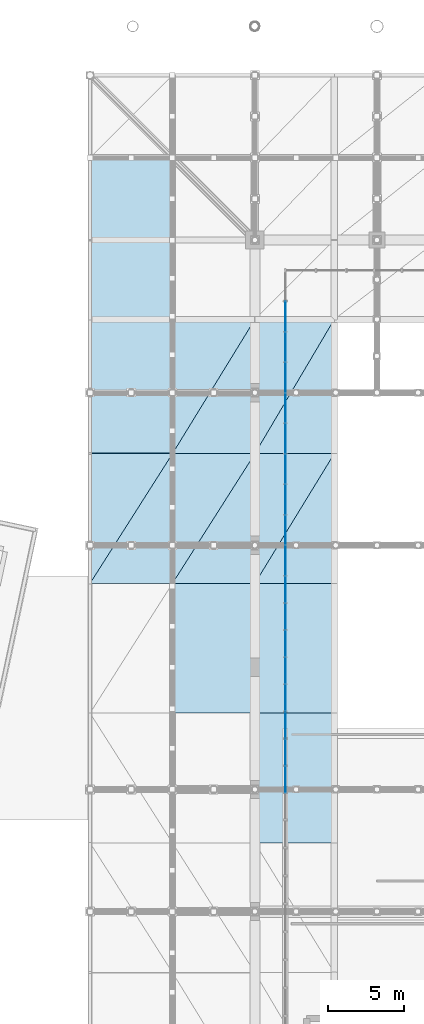
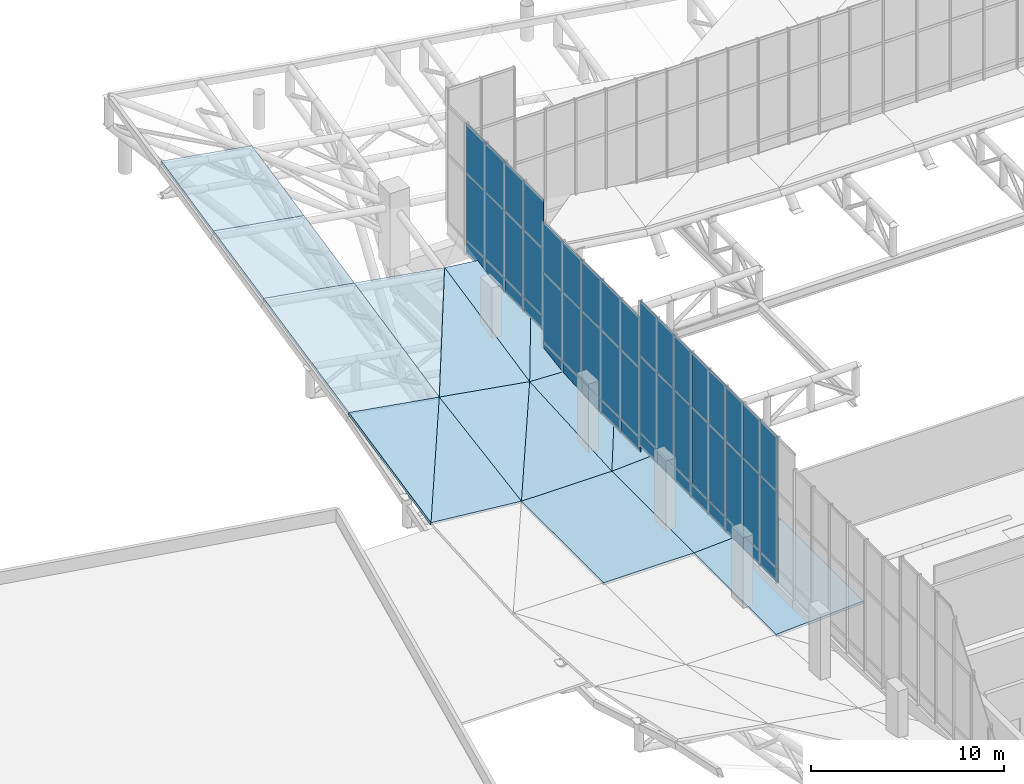
# One storey, part 105 of 137: 51 plates, 16 slabs, 4 elements without a shape of their own.
"""IFC4 building model written with IfcOpenShell, lengths in metres."""

import ifcopenshell
import ifcopenshell.guid

model = None  # the IFC model being written
_history = None  # IfcOwnerHistory: only IFC2X3 demands one
_inside = {}  # id of a spatial element -> (the spatial element, [elements in it])
_under = {}  # id of a project, library or spatial element -> (it, [spatial elements below it])
_declared = {}  # id of a project -> (the project, [libraries it declares])
_typed = {}  # id of a type object -> (the type object, [elements of that type])
_made_of = {}  # id of a material, layer set ... -> (it, [elements and type objects made of it])


def new_model(schema):
    """Start an empty IFC model of exactly this schema.

    Asked for "IFC4X3", IfcOpenShell would pick the latest addendum, in which some entities
    have other attributes; the version numbers below select the first issue.
    IFC2X3 requires an IfcOwnerHistory on every rooted entity: one is made here for all.
    """
    global model, _history
    if schema == "IFC4X3":
        model = ifcopenshell.file(schema_version=(4, 3, 0, 0))
    else:
        model = ifcopenshell.file(schema=schema)
    _inside.clear()
    _under.clear()
    _declared.clear()
    _typed.clear()
    _made_of.clear()
    _history = None
    if model.schema == "IFC2X3":
        org = make("IfcOrganization", Name="unknown")
        user = make(
            "IfcPersonAndOrganization",
            ThePerson=make("IfcPerson", FamilyName="unknown"),
            TheOrganization=org,
        )
        app = make(
            "IfcApplication",
            ApplicationDeveloper=org,
            Version="unknown",
            ApplicationFullName="unknown",
            ApplicationIdentifier="unknown",
        )
        _history = make(
            "IfcOwnerHistory",
            OwningUser=user,
            OwningApplication=app,
            ChangeAction="ADDED",
            CreationDate=0,
        )
    return model


def make(cls, **values):
    """One entity of the class cls with the attributes given. An attribute that is None is left unset."""
    return model.create_entity(
        cls, **{name: value for name, value in values.items() if value is not None}
    )


def rooted(cls, **values):
    """An entity with a GlobalId (a new one), such as an element, a storey or a relation."""
    return make(cls, GlobalId=ifcopenshell.guid.new(), OwnerHistory=_history, **values)


def si_unit(unit_type, name, prefix=None):
    """IfcSIUnit, for example si_unit("LENGTHUNIT", "METRE", prefix="MILLI")."""
    return make("IfcSIUnit", UnitType=unit_type, Prefix=prefix, Name=name)


def assignment(units):
    """IfcUnitAssignment: the units of a project."""
    return None if units is None else make("IfcUnitAssignment", Units=units)


def point(xyz):
    """IfcCartesianPoint."""
    return None if xyz is None else make("IfcCartesianPoint", Coordinates=xyz)


def direction(xyz):
    """IfcDirection."""
    return None if xyz is None else make("IfcDirection", DirectionRatios=xyz)


def frame(location, z_axis=None, x_axis=None):
    """IfcAxis2Placement3D, a coordinate frame: its origin and axes. An axis left out is left unset."""
    return make(
        "IfcAxis2Placement3D",
        Location=point(location),
        Axis=direction(z_axis),
        RefDirection=direction(x_axis),
    )


def frame_2d(location, x_axis=None):
    """IfcAxis2Placement2D, a coordinate frame in the plane: its origin and x axis."""
    return make(
        "IfcAxis2Placement2D", Location=point(location), RefDirection=direction(x_axis)
    )


def origin():
    """The frame at (0, 0, 0) with its axes left unset."""
    return frame((0.0, 0.0, 0.0))


def origin_2d():
    """The frame at (0, 0) in the plane with its x axis left unset."""
    return frame_2d((0.0, 0.0))


def place(relative_to, where):
    """IfcLocalPlacement: puts the frame where relative to a parent placement (None: the world)."""
    return make(
        "IfcLocalPlacement", PlacementRelTo=relative_to, RelativePlacement=where
    )


def context(
    kind, dimensions, precision=None, world=None, true_north=None, identifier=None
):
    """IfcGeometricRepresentationContext, for example the 3D "Model" context."""
    return make(
        "IfcGeometricRepresentationContext",
        ContextIdentifier=identifier,
        ContextType=kind,
        CoordinateSpaceDimension=dimensions,
        Precision=precision,
        WorldCoordinateSystem=world,
        TrueNorth=true_north,
    )


def subcontext(parent, identifier, kind, view, scale=None):
    """IfcGeometricRepresentationSubContext, for example "Body" below "Model"."""
    return make(
        "IfcGeometricRepresentationSubContext",
        ContextIdentifier=identifier,
        ContextType=kind,
        ParentContext=parent,
        TargetScale=scale,
        TargetView=view,
    )


def project(units=None, contexts=None):
    """IfcProject with its units and contexts."""
    return rooted(
        "IfcProject",
        Name="project",
        RepresentationContexts=contexts,
        UnitsInContext=assignment(units),
    )


def spatial(cls, under=None, at=None, **own):
    """A site, building, storey or space (cls), placed at a placement, below another one or the project."""
    s = rooted(cls, ObjectPlacement=at, **own)
    if under is not None:
        _under.setdefault(under.id(), (under, []))[1].append(s)
    return s


def polyline(points):
    """IfcPolyline through the points."""
    return make("IfcPolyline", Points=[point(p) for p in points])


def profile(cls, at=None, kind="AREA", **sizes):
    """A parametric profile (cls). Its sizes go by their IFC names, for example OverallWidth=200.0."""
    return make(cls, ProfileType=kind, Position=at, **sizes)


def rectangle(**sizes):
    """IfcRectangleProfileDef."""
    return profile("IfcRectangleProfileDef", **sizes)


def outline(outer, holes=None, kind="AREA"):
    """IfcArbitraryClosedProfileDef: a profile drawn as a closed curve; with holes, ...WithVoids."""
    if holes is None:
        return make("IfcArbitraryClosedProfileDef", ProfileType=kind, OuterCurve=outer)
    return make(
        "IfcArbitraryProfileDefWithVoids",
        ProfileType=kind,
        OuterCurve=outer,
        InnerCurves=holes,
    )


def extrude(swept, where, along, depth):
    """IfcExtrudedAreaSolid: the profile swept, set in the frame where, extruded along a direction by depth."""
    return make(
        "IfcExtrudedAreaSolid",
        SweptArea=swept,
        Position=where,
        ExtrudedDirection=direction(along),
        Depth=depth,
    )


def shape(context_of_items, identifier, shape_type, items):
    """IfcShapeRepresentation: the items that make up one representation, for example the "Body"."""
    return make(
        "IfcShapeRepresentation",
        ContextOfItems=context_of_items,
        RepresentationIdentifier=identifier,
        RepresentationType=shape_type,
        Items=items,
    )


def material(Name=None, Category=None):
    """IfcMaterial."""
    return make("IfcMaterial", Name=Name, Category=Category)


def layer(
    of_material, thickness, ventilated=None, Name=None, Category=None, Priority=None
):
    """IfcMaterialLayer: one layer of a wall or slab, of a material (None: an air gap)."""
    return make(
        "IfcMaterialLayer",
        Material=of_material,
        LayerThickness=thickness,
        IsVentilated=ventilated,
        Name=Name,
        Category=Category,
        Priority=Priority,
    )


def layer_set(layers, Name=None):
    """IfcMaterialLayerSet."""
    return make("IfcMaterialLayerSet", MaterialLayers=layers, LayerSetName=Name)


def made_of(thing, what):
    """Note that an element or type object is made of a material, layer set ...; save() writes the relation."""
    if what is not None:
        _made_of.setdefault(what.id(), (what, []))[1].append(thing)
    return thing


def type_object(cls, material=None, **own):
    """A type object (cls), such as IfcWallType, which elements share."""
    return made_of(rooted(cls, **own), material)


def element(
    cls,
    number,
    at=None,
    inside=None,
    cuts=None,
    type_object=None,
    material=None,
    context=None,
    identifier="Body",
    shape_type=None,
    held_by="IfcProductDefinitionShape",
    body=None,
    shapes=None,
    **own,
):
    """One element of the class cls, such as IfcWall. Its Tag is "e" and its number.

    at: its placement. inside: the storey or other place that contains it. cuts: it is an
    opening in that element (IfcRelVoidsElement). A single representation is given by context,
    identifier, shape_type and body (its items); several are given by shapes. held_by: the class
    of the entity that holds the representations. save() writes the other relations.
    """
    e = rooted(cls, Tag="e%d" % number, ObjectPlacement=at, **own)
    if body is not None:
        shapes = [shape(context, identifier, shape_type, body)]
    if shapes is not None:
        e.Representation = make(held_by, Representations=shapes)
    if inside is not None:
        _inside.setdefault(inside.id(), (inside, []))[1].append(e)
    if cuts is not None:
        rooted(
            "IfcRelVoidsElement", RelatingBuildingElement=cuts, RelatedOpeningElement=e
        )
    if type_object is not None:
        _typed.setdefault(type_object.id(), (type_object, []))[1].append(e)
    return made_of(e, material)


def aggregate(whole, parts):
    """IfcRelAggregates: a whole, such as a stair, and the parts it consists of."""
    return rooted("IfcRelAggregates", RelatingObject=whole, RelatedObjects=parts)


def save(model, path):
    """Write the relations noted so far, then the file.

    IfcRelAggregates (storeys below a building ...), IfcRelContainedInSpatialStructure (elements
    in a storey), IfcRelDefinesByType, IfcRelAssociatesMaterial and IfcRelDeclares: one each for
    every whole, place, type object, material and project.
    """
    for whole, parts in _under.values():
        aggregate(whole, parts)
    for where, things in _inside.values():
        rooted(
            "IfcRelContainedInSpatialStructure",
            RelatedElements=things,
            RelatingStructure=where,
        )
    for kind, things in _typed.values():
        rooted("IfcRelDefinesByType", RelatedObjects=things, RelatingType=kind)
    for what, things in _made_of.values():
        rooted("IfcRelAssociatesMaterial", RelatedObjects=things, RelatingMaterial=what)
    for by, libraries in _declared.values():
        rooted("IfcRelDeclares", RelatingContext=by, RelatedDefinitions=libraries)
    model.write(path)


model = new_model("IFC4")

# Units and contexts
model_context = context("Model", 3, precision=1e-05, world=origin(), true_north=direction((0.0, 1.0)))
body_context = subcontext(model_context, "Body", "Model", "MODEL_VIEW")
ifc_project = project(units=[si_unit("LENGTHUNIT", "METRE"), si_unit("AREAUNIT", "SQUARE_METRE"), si_unit("VOLUMEUNIT", "CUBIC_METRE"), si_unit("PLANEANGLEUNIT", "RADIAN"), si_unit("MASSUNIT", "GRAM", prefix="KILO")], contexts=[model_context])

# Site, building, storey
site_placement = place(None, origin())
site = spatial("IfcSite", under=ifc_project, at=site_placement, CompositionType="ELEMENT")
building_placement = place(site_placement, origin())
building = spatial("IfcBuilding", under=site, at=building_placement, Name="Khorjan Park Terminus", CompositionType="ELEMENT")
storey_placement = place(building_placement, frame((0.0, 0.0, 11.4)))
storey = spatial("IfcBuildingStorey", under=building, at=storey_placement, Name="L02", CompositionType="ELEMENT", Elevation=11.4)

# Curtain wall, plates
ifc_material_1 = material(Name="Anodized Bronze Aluminium", Category="aluminium")
ifc_layer_1 = layer(ifc_material_1, 0.22)
ifc_layer_set_1 = layer_set([ifc_layer_1], Name="Anodized Bronze Aluminium")
curtain_wall_type = type_object("IfcCurtainWallType", Name="CW-CONC-CLR", PredefinedType="NOTDEFINED", material=ifc_layer_set_1)
curtain_wall_1_placement = place(storey_placement, origin())
curtain_wall_1 = element("IfcCurtainWall", 1, at=curtain_wall_1_placement, inside=storey, type_object=curtain_wall_type, Name="Unitized curtain wall CW-CL (CW-V2-W-CLR-03)", PredefinedType="NOTDEFINED")
ifc_material_2 = material(Name="Acoustic Laminated Solar Glazing", Category="glass")
ifc_layer_2 = layer(ifc_material_2, 0.036)
ifc_layer_set_2 = layer_set([ifc_layer_2], Name="Acoustic Laminated Solar Glazing")
plate_type_1 = type_object("IfcPlateType", Name="GL-VIS-36", PredefinedType="CURTAIN_PANEL", material=ifc_layer_set_2)
plate_1_placement = place(storey_placement, frame((50.0, 65.1111, 1.8), z_axis=(0.0, 0.0, 1.0), x_axis=(0.0, -1.0, 0.0)))
plate_1 = element("IfcPlate", 2, at=plate_1_placement, type_object=plate_type_1, Name="Curtain-wall panel VP-36 (CW-V2-W-CLR-03-0-2)", PredefinedType="CURTAIN_PANEL", context=body_context, shape_type="SweptSolid", body=[
    extrude(rectangle(XDim=1.7778, YDim=0.036, at=origin_2d()), origin(), (0.0, 0.0, 1.0), 4.848),
])
plate_2_placement = place(storey_placement, frame((50.0, 65.1111, 6.648), z_axis=(0.0, 0.0, 1.0), x_axis=(0.0, -1.0, 0.0)))
plate_2 = element("IfcPlate", 3, at=plate_2_placement, type_object=plate_type_1, Name="Curtain-wall panel VP-36 (CW-V2-W-CLR-03-0-3)", PredefinedType="CURTAIN_PANEL", context=body_context, shape_type="SweptSolid", body=[
    extrude(rectangle(XDim=1.7778, YDim=0.036, at=origin_2d()), origin(), (0.0, 0.0, 1.0), 3.5024),
])
plate_3_placement = place(storey_placement, frame((50.0, 63.3333, 1.8), z_axis=(0.0, 0.0, 1.0), x_axis=(0.0, -1.0, 0.0)))
plate_3 = element("IfcPlate", 4, at=plate_3_placement, type_object=plate_type_1, Name="Curtain-wall panel VP-36 (CW-V2-W-CLR-03-1-2)", PredefinedType="CURTAIN_PANEL", context=body_context, shape_type="SweptSolid", body=[
    extrude(rectangle(XDim=1.7778, YDim=0.036, at=origin_2d()), origin(), (0.0, 0.0, 1.0), 4.848),
])
plate_4_placement = place(storey_placement, frame((50.0, 63.3333, 6.648), z_axis=(0.0, 0.0, 1.0), x_axis=(0.0, -1.0, 0.0)))
plate_4 = element("IfcPlate", 5, at=plate_4_placement, type_object=plate_type_1, Name="Curtain-wall panel VP-36 (CW-V2-W-CLR-03-1-3)", PredefinedType="CURTAIN_PANEL", context=body_context, shape_type="SweptSolid", body=[
    extrude(rectangle(XDim=1.7778, YDim=0.036, at=origin_2d()), origin(), (0.0, 0.0, 1.0), 3.5024),
])
plate_5_placement = place(storey_placement, frame((50.0, 61.5555, 1.8), z_axis=(0.0, 0.0, 1.0), x_axis=(0.0, -1.0, 0.0)))
plate_5 = element("IfcPlate", 6, at=plate_5_placement, type_object=plate_type_1, Name="Curtain-wall panel VP-36 (CW-V2-W-CLR-03-2-2)", PredefinedType="CURTAIN_PANEL", context=body_context, shape_type="SweptSolid", body=[
    extrude(rectangle(XDim=1.7778, YDim=0.036, at=origin_2d()), origin(), (0.0, 0.0, 1.0), 4.848),
])
plate_6_placement = place(storey_placement, frame((50.0, 61.5555, 6.648), z_axis=(0.0, 0.0, 1.0), x_axis=(0.0, -1.0, 0.0)))
plate_6 = element("IfcPlate", 7, at=plate_6_placement, type_object=plate_type_1, Name="Curtain-wall panel VP-36 (CW-V2-W-CLR-03-2-3)", PredefinedType="CURTAIN_PANEL", context=body_context, shape_type="SweptSolid", body=[
    extrude(rectangle(XDim=1.7778, YDim=0.036, at=origin_2d()), origin(), (0.0, 0.0, 1.0), 3.5024),
])
plate_7_placement = place(storey_placement, frame((50.0, 59.7778, 1.8), z_axis=(0.0, 0.0, 1.0), x_axis=(0.0, -1.0, 0.0)))
plate_7 = element("IfcPlate", 8, at=plate_7_placement, type_object=plate_type_1, Name="Curtain-wall panel VP-36 (CW-V2-W-CLR-03-3-2)", PredefinedType="CURTAIN_PANEL", context=body_context, shape_type="SweptSolid", body=[
    extrude(rectangle(XDim=1.7778, YDim=0.036, at=origin_2d()), origin(), (0.0, 0.0, 1.0), 4.848),
])
plate_8_placement = place(storey_placement, frame((50.0, 59.7778, 6.648), z_axis=(0.0, 0.0, 1.0), x_axis=(0.0, -1.0, 0.0)))
plate_8 = element("IfcPlate", 9, at=plate_8_placement, type_object=plate_type_1, Name="Curtain-wall panel VP-36 (CW-V2-W-CLR-03-3-3)", PredefinedType="CURTAIN_PANEL", context=body_context, shape_type="SweptSolid", body=[
    extrude(rectangle(XDim=1.7778, YDim=0.036, at=origin_2d()), origin(), (0.0, 0.0, 1.0), 3.5024),
])
plate_9_placement = place(storey_placement, frame((50.0, 58.0, 1.8), z_axis=(0.0, 0.0, 1.0), x_axis=(0.0, -1.0, 0.0)))
plate_9 = element("IfcPlate", 10, at=plate_9_placement, type_object=plate_type_1, Name="Curtain-wall panel VP-36 (CW-V2-W-CLR-03-4-2)", PredefinedType="CURTAIN_PANEL", context=body_context, shape_type="SweptSolid", body=[
    extrude(rectangle(XDim=1.7778, YDim=0.036, at=origin_2d()), origin(), (0.0, 0.0, 1.0), 4.848),
])
plate_10_placement = place(storey_placement, frame((50.0, 58.0, 6.648), z_axis=(0.0, 0.0, 1.0), x_axis=(0.0, -1.0, 0.0)))
plate_10 = element("IfcPlate", 11, at=plate_10_placement, type_object=plate_type_1, Name="Curtain-wall panel VP-36 (CW-V2-W-CLR-03-4-3)", PredefinedType="CURTAIN_PANEL", context=body_context, shape_type="SweptSolid", body=[
    extrude(rectangle(XDim=1.7778, YDim=0.036, at=origin_2d()), origin(), (0.0, 0.0, 1.0), 3.5024),
])
plate_11_placement = place(storey_placement, frame((50.0, 56.2222, 1.8), z_axis=(0.0, 0.0, 1.0), x_axis=(0.0, -1.0, 0.0)))
plate_11 = element("IfcPlate", 12, at=plate_11_placement, type_object=plate_type_1, Name="Curtain-wall panel VP-36 (CW-V2-W-CLR-03-5-2)", PredefinedType="CURTAIN_PANEL", context=body_context, shape_type="SweptSolid", body=[
    extrude(rectangle(XDim=1.7778, YDim=0.036, at=origin_2d()), origin(), (0.0, 0.0, 1.0), 4.848),
])
plate_12_placement = place(storey_placement, frame((50.0, 56.2222, 6.648), z_axis=(0.0, 0.0, 1.0), x_axis=(0.0, -1.0, 0.0)))
plate_12 = element("IfcPlate", 13, at=plate_12_placement, type_object=plate_type_1, Name="Curtain-wall panel VP-36 (CW-V2-W-CLR-03-5-3)", PredefinedType="CURTAIN_PANEL", context=body_context, shape_type="SweptSolid", body=[
    extrude(rectangle(XDim=1.7778, YDim=0.036, at=origin_2d()), origin(), (0.0, 0.0, 1.0), 3.5024),
])
plate_13_placement = place(storey_placement, frame((50.0, 54.4445, 1.8), z_axis=(0.0, 0.0, 1.0), x_axis=(0.0, -1.0, 0.0)))
plate_13 = element("IfcPlate", 14, at=plate_13_placement, type_object=plate_type_1, Name="Curtain-wall panel VP-36 (CW-V2-W-CLR-03-6-2)", PredefinedType="CURTAIN_PANEL", context=body_context, shape_type="SweptSolid", body=[
    extrude(rectangle(XDim=1.7778, YDim=0.036, at=origin_2d()), origin(), (0.0, 0.0, 1.0), 4.848),
])
plate_14_placement = place(storey_placement, frame((50.0, 54.4445, 6.648), z_axis=(0.0, 0.0, 1.0), x_axis=(0.0, -1.0, 0.0)))
plate_14 = element("IfcPlate", 15, at=plate_14_placement, type_object=plate_type_1, Name="Curtain-wall panel VP-36 (CW-V2-W-CLR-03-6-3)", PredefinedType="CURTAIN_PANEL", context=body_context, shape_type="SweptSolid", body=[
    extrude(rectangle(XDim=1.7778, YDim=0.036, at=origin_2d()), origin(), (0.0, 0.0, 1.0), 3.5024),
])
plate_15_placement = place(storey_placement, frame((50.0, 52.6667, 1.8), z_axis=(0.0, 0.0, 1.0), x_axis=(0.0, -1.0, 0.0)))
plate_15 = element("IfcPlate", 16, at=plate_15_placement, type_object=plate_type_1, Name="Curtain-wall panel VP-36 (CW-V2-W-CLR-03-7-2)", PredefinedType="CURTAIN_PANEL", context=body_context, shape_type="SweptSolid", body=[
    extrude(rectangle(XDim=1.7778, YDim=0.036, at=origin_2d()), origin(), (0.0, 0.0, 1.0), 4.848),
])
plate_16_placement = place(storey_placement, frame((50.0, 52.6667, 6.648), z_axis=(0.0, 0.0, 1.0), x_axis=(0.0, -1.0, 0.0)))
plate_16 = element("IfcPlate", 17, at=plate_16_placement, type_object=plate_type_1, Name="Curtain-wall panel VP-36 (CW-V2-W-CLR-03-7-3)", PredefinedType="CURTAIN_PANEL", context=body_context, shape_type="SweptSolid", body=[
    extrude(rectangle(XDim=1.7778, YDim=0.036, at=origin_2d()), origin(), (0.0, 0.0, 1.0), 3.5024),
])

curtain_wall_2_placement = place(storey_placement, origin())
curtain_wall_2 = element("IfcCurtainWall", 18, at=curtain_wall_2_placement, inside=storey, type_object=curtain_wall_type, Name="Unitized curtain wall CW-CL (CW-V2-W-CLR-04)", PredefinedType="NOTDEFINED")
plate_17_placement = place(storey_placement, frame((50.0, 75.0, 1.44), z_axis=(0.0, 0.0, 1.0), x_axis=(0.0, -1.0, 0.0)))
plate_17 = element("IfcPlate", 19, at=plate_17_placement, type_object=plate_type_1, Name="Curtain-wall panel VP-36 (CW-V2-W-CLR-04-0-2)", PredefinedType="CURTAIN_PANEL", context=body_context, shape_type="SweptSolid", body=[
    extrude(rectangle(XDim=2.0, YDim=0.036, at=origin_2d()), origin(), (0.0, 0.0, 1.0), 4.3966),
])
plate_18_placement = place(storey_placement, frame((50.0, 75.0, 5.8366), z_axis=(0.0, 0.0, 1.0), x_axis=(0.0, -1.0, 0.0)))
plate_18 = element("IfcPlate", 20, at=plate_18_placement, type_object=plate_type_1, Name="Curtain-wall panel VP-36 (CW-V2-W-CLR-04-0-3)", PredefinedType="CURTAIN_PANEL", context=body_context, shape_type="SweptSolid", body=[
    extrude(rectangle(XDim=2.0, YDim=0.036, at=origin_2d()), origin(), (0.0, 0.0, 1.0), 3.2257),
])
plate_19_placement = place(storey_placement, frame((50.0, 73.0, 1.44), z_axis=(0.0, 0.0, 1.0), x_axis=(0.0, -1.0, 0.0)))
plate_19 = element("IfcPlate", 21, at=plate_19_placement, type_object=plate_type_1, Name="Curtain-wall panel VP-36 (CW-V2-W-CLR-04-1-2)", PredefinedType="CURTAIN_PANEL", context=body_context, shape_type="SweptSolid", body=[
    extrude(rectangle(XDim=2.0, YDim=0.036, at=origin_2d()), origin(), (0.0, 0.0, 1.0), 4.3966),
])
plate_20_placement = place(storey_placement, frame((50.0, 73.0, 5.8366), z_axis=(0.0, 0.0, 1.0), x_axis=(0.0, -1.0, 0.0)))
plate_20 = element("IfcPlate", 22, at=plate_20_placement, type_object=plate_type_1, Name="Curtain-wall panel VP-36 (CW-V2-W-CLR-04-1-3)", PredefinedType="CURTAIN_PANEL", context=body_context, shape_type="SweptSolid", body=[
    extrude(rectangle(XDim=2.0, YDim=0.036, at=origin_2d()), origin(), (0.0, 0.0, 1.0), 3.2257),
])
plate_21_placement = place(storey_placement, frame((50.0, 71.0, 1.44), z_axis=(0.0, 0.0, 1.0), x_axis=(0.0, -1.0, 0.0)))
plate_21 = element("IfcPlate", 23, at=plate_21_placement, type_object=plate_type_1, Name="Curtain-wall panel VP-36 (CW-V2-W-CLR-04-2-2)", PredefinedType="CURTAIN_PANEL", context=body_context, shape_type="SweptSolid", body=[
    extrude(rectangle(XDim=2.0, YDim=0.036, at=origin_2d()), origin(), (0.0, 0.0, 1.0), 4.3966),
])
plate_22_placement = place(storey_placement, frame((50.0, 71.0, 5.8366), z_axis=(0.0, 0.0, 1.0), x_axis=(0.0, -1.0, 0.0)))
plate_22 = element("IfcPlate", 24, at=plate_22_placement, type_object=plate_type_1, Name="Curtain-wall panel VP-36 (CW-V2-W-CLR-04-2-3)", PredefinedType="CURTAIN_PANEL", context=body_context, shape_type="SweptSolid", body=[
    extrude(rectangle(XDim=2.0, YDim=0.036, at=origin_2d()), origin(), (0.0, 0.0, 1.0), 3.2257),
])
plate_23_placement = place(storey_placement, frame((50.0, 69.0, 1.44), z_axis=(0.0, 0.0, 1.0), x_axis=(0.0, -1.0, 0.0)))
plate_23 = element("IfcPlate", 25, at=plate_23_placement, type_object=plate_type_1, Name="Curtain-wall panel VP-36 (CW-V2-W-CLR-04-3-2)", PredefinedType="CURTAIN_PANEL", context=body_context, shape_type="SweptSolid", body=[
    extrude(rectangle(XDim=2.0, YDim=0.036, at=origin_2d()), origin(), (0.0, 0.0, 1.0), 4.3966),
])
plate_24_placement = place(storey_placement, frame((50.0, 69.0, 5.8366), z_axis=(0.0, 0.0, 1.0), x_axis=(0.0, -1.0, 0.0)))
plate_24 = element("IfcPlate", 26, at=plate_24_placement, type_object=plate_type_1, Name="Curtain-wall panel VP-36 (CW-V2-W-CLR-04-3-3)", PredefinedType="CURTAIN_PANEL", context=body_context, shape_type="SweptSolid", body=[
    extrude(rectangle(XDim=2.0, YDim=0.036, at=origin_2d()), origin(), (0.0, 0.0, 1.0), 3.2257),
])
plate_25_placement = place(storey_placement, frame((50.0, 67.0, 1.44), z_axis=(0.0, 0.0, 1.0), x_axis=(0.0, -1.0, 0.0)))
plate_25 = element("IfcPlate", 27, at=plate_25_placement, type_object=plate_type_1, Name="Curtain-wall panel VP-36 (CW-V2-W-CLR-04-4-2)", PredefinedType="CURTAIN_PANEL", context=body_context, shape_type="SweptSolid", body=[
    extrude(rectangle(XDim=2.0, YDim=0.036, at=origin_2d()), origin(), (0.0, 0.0, 1.0), 4.3966),
])
plate_26_placement = place(storey_placement, frame((50.0, 67.0, 5.8366), z_axis=(0.0, 0.0, 1.0), x_axis=(0.0, -1.0, 0.0)))
plate_26 = element("IfcPlate", 28, at=plate_26_placement, type_object=plate_type_1, Name="Curtain-wall panel VP-36 (CW-V2-W-CLR-04-4-3)", PredefinedType="CURTAIN_PANEL", context=body_context, shape_type="SweptSolid", body=[
    extrude(rectangle(XDim=2.0, YDim=0.036, at=origin_2d()), origin(), (0.0, 0.0, 1.0), 3.2257),
])

curtain_wall_3_placement = place(storey_placement, origin())
curtain_wall_3 = element("IfcCurtainWall", 29, at=curtain_wall_3_placement, inside=storey, type_object=curtain_wall_type, Name="Unitized curtain wall CW-CL (CW-V2-W-CLR-05)", PredefinedType="NOTDEFINED")
plate_27_placement = place(storey_placement, frame((50.0, 83.0, 3.0442), z_axis=(0.0, 0.0, 1.0), x_axis=(0.0, -1.0, 0.0)))
plate_27 = element("IfcPlate", 30, at=plate_27_placement, type_object=plate_type_1, Name="Curtain-wall panel VP-36 (CW-V2-W-CLR-05-1-2)", PredefinedType="CURTAIN_PANEL", context=body_context, shape_type="SweptSolid", body=[
    extrude(rectangle(XDim=2.0, YDim=0.036, at=origin_2d()), origin(), (0.0, 0.0, 1.0), 4.2517),
])
plate_28_placement = place(storey_placement, frame((50.0, 83.0, 7.2959), z_axis=(0.0, 0.0, 1.0), x_axis=(0.0, -1.0, 0.0)))
plate_28 = element("IfcPlate", 31, at=plate_28_placement, type_object=plate_type_1, Name="Curtain-wall panel VP-36 (CW-V2-W-CLR-05-1-3)", PredefinedType="CURTAIN_PANEL", context=body_context, shape_type="SweptSolid", body=[
    extrude(rectangle(XDim=2.0, YDim=0.036, at=origin_2d()), origin(), (0.0, 0.0, 1.0), 3.1369),
])
plate_29_placement = place(storey_placement, frame((50.0, 81.0, 3.0442), z_axis=(0.0, 0.0, 1.0), x_axis=(0.0, -1.0, 0.0)))
plate_29 = element("IfcPlate", 32, at=plate_29_placement, type_object=plate_type_1, Name="Curtain-wall panel VP-36 (CW-V2-W-CLR-05-2-2)", PredefinedType="CURTAIN_PANEL", context=body_context, shape_type="SweptSolid", body=[
    extrude(rectangle(XDim=2.0, YDim=0.036, at=origin_2d()), origin(), (0.0, 0.0, 1.0), 4.2517),
])
plate_30_placement = place(storey_placement, frame((50.0, 81.0, 7.2959), z_axis=(0.0, 0.0, 1.0), x_axis=(0.0, -1.0, 0.0)))
plate_30 = element("IfcPlate", 33, at=plate_30_placement, type_object=plate_type_1, Name="Curtain-wall panel VP-36 (CW-V2-W-CLR-05-2-3)", PredefinedType="CURTAIN_PANEL", context=body_context, shape_type="SweptSolid", body=[
    extrude(rectangle(XDim=2.0, YDim=0.036, at=origin_2d()), origin(), (0.0, 0.0, 1.0), 3.1369),
])
plate_31_placement = place(storey_placement, frame((50.0, 79.0, 3.0442), z_axis=(0.0, 0.0, 1.0), x_axis=(0.0, -1.0, 0.0)))
plate_31 = element("IfcPlate", 34, at=plate_31_placement, type_object=plate_type_1, Name="Curtain-wall panel VP-36 (CW-V2-W-CLR-05-3-2)", PredefinedType="CURTAIN_PANEL", context=body_context, shape_type="SweptSolid", body=[
    extrude(rectangle(XDim=2.0, YDim=0.036, at=origin_2d()), origin(), (0.0, 0.0, 1.0), 4.2517),
])
plate_32_placement = place(storey_placement, frame((50.0, 79.0, 7.2959), z_axis=(0.0, 0.0, 1.0), x_axis=(0.0, -1.0, 0.0)))
plate_32 = element("IfcPlate", 35, at=plate_32_placement, type_object=plate_type_1, Name="Curtain-wall panel VP-36 (CW-V2-W-CLR-05-3-3)", PredefinedType="CURTAIN_PANEL", context=body_context, shape_type="SweptSolid", body=[
    extrude(rectangle(XDim=2.0, YDim=0.036, at=origin_2d()), origin(), (0.0, 0.0, 1.0), 3.1369),
])
plate_33_placement = place(storey_placement, frame((50.0, 77.0, 3.0442), z_axis=(0.0, 0.0, 1.0), x_axis=(0.0, -1.0, 0.0)))
plate_33 = element("IfcPlate", 36, at=plate_33_placement, type_object=plate_type_1, Name="Curtain-wall panel VP-36 (CW-V2-W-CLR-05-4-2)", PredefinedType="CURTAIN_PANEL", context=body_context, shape_type="SweptSolid", body=[
    extrude(rectangle(XDim=2.0, YDim=0.036, at=origin_2d()), origin(), (0.0, 0.0, 1.0), 4.2517),
])
plate_34_placement = place(storey_placement, frame((50.0, 77.0, 7.2959), z_axis=(0.0, 0.0, 1.0), x_axis=(0.0, -1.0, 0.0)))
plate_34 = element("IfcPlate", 37, at=plate_34_placement, type_object=plate_type_1, Name="Curtain-wall panel VP-36 (CW-V2-W-CLR-05-4-3)", PredefinedType="CURTAIN_PANEL", context=body_context, shape_type="SweptSolid", body=[
    extrude(rectangle(XDim=2.0, YDim=0.036, at=origin_2d()), origin(), (0.0, 0.0, 1.0), 3.1369),
])

# Roof, slabs
ifc_material_3 = material(Name="Concrete C50/60", Category="concrete")
ifc_layer_3 = layer(ifc_material_3, 0.16)
ifc_layer_set_3 = layer_set([ifc_layer_3], Name="Concrete C50/60")
roof_type = type_object("IfcRoofType", Name="RF-SHELL-LOWER", PredefinedType="FREEFORM", material=ifc_layer_set_3)
roof_placement = place(storey_placement, origin())
roof = element("IfcRoof", 38, at=roof_placement, inside=storey, type_object=roof_type, Name="Lower 4-sided wrapping folded concrete shell roof RF-CS2 (1)", PredefinedType="FREEFORM")
ifc_layer_4 = layer(ifc_material_3, 0.16)
ifc_layer_set_4 = layer_set([ifc_layer_4], Name="Concrete C50/60")
slab_type = type_object("IfcSlabType", Name="SL-SHL-160", PredefinedType="ROOF", material=ifc_layer_set_4)
slab_1_placement = place(storey_placement, frame((37.2, 65.5, 0.8907), z_axis=(0.096483848537, -0.163905438783, 0.981746338984), x_axis=(0.995205442629, 0.0, -0.097806579334)))
slab_1 = element("IfcSlab", 39, at=slab_1_placement, type_object=slab_type, Name="Lower 4-sided wrapping folded concrete shell facet RS-16 (12)", PredefinedType="ROOF", context=body_context, shape_type="SweptSolid", body=[
    extrude(outline(polyline([(0.0, 0.0), (5.426015341850776, -1.3877787807814457e-17), (5.287218025117956, 8.616529470434589), (0.0, 0.0)])), origin(), (0.0, 0.0, -1.0), 0.16),
])
slab_2_placement = place(storey_placement, frame((37.2, 65.5, 0.8907), z_axis=(0.16371084753, -0.204864304769, 0.965002266853), x_axis=(0.534158195129, 0.840804566406, 0.087878914917)))
slab_2 = element("IfcSlab", 40, at=slab_2_placement, type_object=slab_type, Name="Lower 4-sided wrapping folded concrete shell facet RS-16 (13)", PredefinedType="ROOF", context=body_context, shape_type="SweptSolid", body=[
    extrude(outline(polyline([(0.0, 0.0), (10.109364696161672, 3.0531133177191805e-16), (7.305416316421999, 4.7050093191996165), (0.0, 0.0)])), origin(), (0.0, 0.0, -1.0), 0.16),
])
slab_3_placement = place(storey_placement, frame((37.2, 74.0, 2.6952), z_axis=(0.163710804262, -0.204865540733, 0.965002011805), x_axis=(0.985913104802, 0.0, -0.167258332465)))
slab_3 = element("IfcSlab", 41, at=slab_3_placement, type_object=slab_type, Name="Lower 4-sided wrapping folded concrete shell facet RS-16 (14)", PredefinedType="ROOF", context=body_context, shape_type="SweptSolid", body=[
    extrude(outline(polyline([(0.0, 0.0), (5.477156124303924, -2.7755575615628914e-17), (5.164684107593335, 8.990691434966097), (-0.31247201671058894, 8.990691434966099), (0.0, 0.0)])), origin(), (0.0, 0.0, -1.0), 0.16),
])
slab_4_placement = place(storey_placement, frame((37.2, 82.8, 4.5634), z_axis=(0.163711030587, -0.204859075678, 0.965003345889), x_axis=(0.985913104802, 0.0, -0.167258332465)))
slab_4 = element("IfcSlab", 42, at=slab_4_placement, type_object=slab_type, Name="Lower 4-sided wrapping folded concrete shell facet RS-16 (15)", PredefinedType="ROOF", context=body_context, shape_type="SweptSolid", body=[
    extrude(outline(polyline([(0.0, 0.0), (5.477156124303924, -2.7755575615628914e-17), (5.2925196510961205, 5.312673957882359), (-0.18463647320780374, 5.31267395788236), (0.0, 0.0)])), origin(), (0.0, 0.0, -1.0), 0.16),
])
slab_5_placement = place(storey_placement, frame((37.2, 88.0, 5.6673), z_axis=(0.163702380927, -0.204858058376, 0.965005029208), x_axis=(0.985914546954, -1.804669e-06, -0.167249831392)))
slab_5 = element("IfcSlab", 43, at=slab_5_placement, type_object=slab_type, Name="Lower 4-sided wrapping folded concrete shell facet RS-16 (16)", PredefinedType="ROOF", context=body_context, shape_type="SweptSolid", body=[
    extrude(outline(polyline([(0.0, 0.0), (5.4771561240913975, 0.0), (5.285411172171457, 5.517016116623658), (-0.19172822693680144, 5.5169959193992195), (0.0, 0.0)])), origin(), (0.0, 0.0, -1.0), 0.16),
])
slab_6_placement = place(storey_placement, frame((42.6, 57.0, 0.36), z_axis=(0.0, 0.0, 1.0), x_axis=(1.0, 0.0, 0.0)))
slab_6 = element("IfcSlab", 44, at=slab_6_placement, type_object=slab_type, Name="Lower 4-sided wrapping folded concrete shell facet RS-16 (27)", PredefinedType="ROOF", context=body_context, shape_type="SweptSolid", body=[
    extrude(outline(polyline([(0.0, 0.0), (5.399999999999999, 0.0), (5.399999999999999, 8.5), (0.0, 8.5), (0.0, 0.0)])), origin(), (0.0, 0.0, -1.0), 0.16),
])
slab_7_placement = place(storey_placement, frame((42.6, 65.5, 0.36), z_axis=(0.0, -0.059084831392, 0.998252965285), x_axis=(1.0, 0.0, 0.0)))
slab_7 = element("IfcSlab", 45, at=slab_7_placement, type_object=slab_type, Name="Lower 4-sided wrapping folded concrete shell facet RS-16 (28)", PredefinedType="ROOF", context=body_context, shape_type="SweptSolid", body=[
    extrude(outline(polyline([(0.0, 0.0), (5.399999999999999, 0.0), (5.399999999999999, 8.514875783591911), (0.0, 0.0)])), origin(), (0.0, 0.0, -1.0), 0.16),
])
slab_8_placement = place(storey_placement, frame((42.6, 65.5, 0.36), z_axis=(0.165020025459, -0.162416074736, 0.972825477598), x_axis=(0.535564849079, 0.843018743921, 0.049896791773)))
slab_8 = element("IfcSlab", 46, at=slab_8_placement, type_object=slab_type, Name="Lower 4-sided wrapping folded concrete shell facet RS-16 (29)", PredefinedType="ROOF", context=body_context, shape_type="SweptSolid", body=[
    extrude(outline(polyline([(0.0, 0.0), (10.082812584294125, 4.85722573273506e-16), (7.236467860530806, 4.6794634001672355), (0.0, 0.0)])), origin(), (0.0, 0.0, -1.0), 0.16),
])
slab_9_placement = place(storey_placement, frame((42.6, 74.0, 1.7791), z_axis=(0.163693780464, -0.204855634297, 0.965007002738), x_axis=(0.985916115378, 0.0, -0.167240585497)))
slab_9 = element("IfcSlab", 47, at=slab_9_placement, type_object=slab_type, Name="Lower 4-sided wrapping folded concrete shell facet RS-16 (30)", PredefinedType="ROOF", context=body_context, shape_type="SweptSolid", body=[
    extrude(outline(polyline([(0.0, 0.0), (5.477139399358025, 0.0), (5.164717261590166, 8.99067238963986), (0.0, 0.0)])), origin(), (0.0, 0.0, -1.0), 0.16),
])
slab_10_placement = place(storey_placement, frame((42.6, 74.0, 1.7791), z_axis=(0.163710804262, -0.204865540733, 0.965002011805), x_axis=(0.520806516409, 0.848721730445, 0.091825904495)))
slab_10 = element("IfcSlab", 48, at=slab_10_placement, type_object=slab_type, Name="Lower 4-sided wrapping folded concrete shell facet RS-16 (31)", PredefinedType="ROOF", context=body_context, shape_type="SweptSolid", body=[
    extrude(outline(polyline([(0.0, 0.0), (10.368533860194503, 8.326672684688674e-16), (7.640300382692089, 4.749313771718508), (0.0, 0.0)])), origin(), (0.0, 0.0, -1.0), 0.16),
])
slab_11_placement = place(storey_placement, frame((48.0, 48.5, 0.36), z_axis=(-0.056448312253, 0.0, 0.998405522843), x_axis=(0.998405522843, 0.0, 0.056448312253)))
slab_11 = element("IfcSlab", 49, at=slab_11_placement, type_object=slab_type, Name="Lower 4-sided wrapping folded concrete shell facet RS-16 (45)", PredefinedType="ROOF", context=body_context, shape_type="SweptSolid", body=[
    extrude(outline(polyline([(0.0, 0.0), (5.2083045225869835, 0.0), (5.2083045225869835, 8.500000000000002), (0.0, 8.500000000000002), (0.0, 0.0)])), origin(), (0.0, 0.0, -1.0), 0.16),
])
slab_12_placement = place(storey_placement, frame((48.0, 57.0, 0.36), z_axis=(-0.056448312253, 0.0, 0.998405522843), x_axis=(0.998405522843, 0.0, 0.056448312253)))
slab_12 = element("IfcSlab", 50, at=slab_12_placement, type_object=slab_type, Name="Lower 4-sided wrapping folded concrete shell facet RS-16 (46)", PredefinedType="ROOF", context=body_context, shape_type="SweptSolid", body=[
    extrude(outline(polyline([(0.0, 0.0), (5.2083045225869835, 0.0), (5.2083045225869835, 8.500000000000002), (0.0, 8.500000000000002), (0.0, 0.0)])), origin(), (0.0, 0.0, -1.0), 0.16),
])
slab_13_placement = place(storey_placement, frame((48.0, 65.5, 0.36), z_axis=(-0.056448312253, 0.0, 0.998405522843), x_axis=(0.998405522843, 0.0, 0.056448312253)))
slab_13 = element("IfcSlab", 51, at=slab_13_placement, type_object=slab_type, Name="Lower 4-sided wrapping folded concrete shell facet RS-16 (47)", PredefinedType="ROOF", context=body_context, shape_type="SweptSolid", body=[
    extrude(outline(polyline([(0.0, 0.0), (5.2083045225869835, 0.0), (5.2083045225869835, 8.500000000000002), (0.0, 0.0)])), origin(), (0.0, 0.0, -1.0), 0.16),
])
slab_14_placement = place(storey_placement, frame((48.0, 65.5, 0.36), z_axis=(0.040108986249, -0.059037286469, 0.997449681953), x_axis=(0.521628888241, 0.852662605779, 0.029492094835)))
slab_14 = element("IfcSlab", 52, at=slab_14_placement, type_object=slab_type, Name="Lower 4-sided wrapping folded concrete shell facet RS-16 (48)", PredefinedType="ROOF", context=body_context, shape_type="SweptSolid", body=[
    extrude(outline(polyline([(0.0, 0.0), (9.968773043860514, -4.3368086899420177e-16), (7.262469622035164, 4.445182178383292), (0.0, 0.0)])), origin(), (0.0, 0.0, -1.0), 0.16),
])
slab_15_placement = place(storey_placement, frame((48.0, 74.0, 0.8631), z_axis=(0.039658612893, -0.160433667371, 0.986249579365), x_axis=(0.999192495237, 0.0, -0.040179067453)))
slab_15 = element("IfcSlab", 53, at=slab_15_placement, type_object=slab_type, Name="Lower 4-sided wrapping folded concrete shell facet RS-16 (49)", PredefinedType="ROOF", context=body_context, shape_type="SweptSolid", body=[
    extrude(outline(polyline([(0.0, 0.0), (5.204202418238556, -6.938893903907228e-18), (5.146686083179992, 8.915485635746455), (0.0, 0.0)])), origin(), (0.0, 0.0, -1.0), 0.16),
])
slab_16_placement = place(storey_placement, frame((48.0, 74.0, 0.8631), z_axis=(0.120580057686, -0.20614152892, 0.971064426155), x_axis=(0.505129978359, 0.854835347993, 0.118744401067)))
slab_16 = element("IfcSlab", 54, at=slab_16_placement, type_object=slab_type, Name="Lower 4-sided wrapping folded concrete shell facet RS-16 (50)", PredefinedType="ROOF", context=body_context, shape_type="SweptSolid", body=[
    extrude(outline(polyline([(0.0, 0.0), (10.294380105669305, 2.7755575615628914e-16), (7.744377477969238, 4.577599271312725), (0.0, 0.0)])), origin(), (0.0, 0.0, -1.0), 0.16),
])
aggregate(roof, [slab_1, slab_2, slab_3, slab_4, slab_5, slab_6, slab_7, slab_8, slab_9, slab_10, slab_11, slab_12, slab_13, slab_14, slab_15, slab_16])

# Plate
ifc_material_4 = material(Name="Insulated Anodized Bronze Spandrel Panel")
ifc_layer_5 = layer(ifc_material_4, 0.045)
ifc_layer_set_5 = layer_set([ifc_layer_5], Name="Insulated Anodized Bronze Spandrel Panel")
plate_type_2 = type_object("IfcPlateType", Name="SP-AL-45", PredefinedType="CURTAIN_PANEL", material=ifc_layer_set_5)
plate_35_placement = place(storey_placement, frame((50.0, 65.1111, 0.94), z_axis=(0.0, 0.0, 1.0), x_axis=(0.0, -1.0, 0.0)))
plate_35 = element("IfcPlate", 55, at=plate_35_placement, type_object=plate_type_2, Name="Curtain-wall panel SP-A45 (CW-V2-W-CLR-03-0-1)", PredefinedType="CURTAIN_PANEL", context=body_context, shape_type="SweptSolid", body=[
    extrude(rectangle(XDim=1.7778, YDim=0.045, at=origin_2d()), origin(), (0.0, 0.0, 1.0), 0.86),
])

plate_36_placement = place(storey_placement, frame((50.0, 63.3333, 0.94), z_axis=(0.0, 0.0, 1.0), x_axis=(0.0, -1.0, 0.0)))
plate_36 = element("IfcPlate", 56, at=plate_36_placement, type_object=plate_type_2, Name="Curtain-wall panel SP-A45 (CW-V2-W-CLR-03-1-1)", PredefinedType="CURTAIN_PANEL", context=body_context, shape_type="SweptSolid", body=[
    extrude(rectangle(XDim=1.7778, YDim=0.045, at=origin_2d()), origin(), (0.0, 0.0, 1.0), 0.86),
])

plate_37_placement = place(storey_placement, frame((50.0, 61.5555, 0.94), z_axis=(0.0, 0.0, 1.0), x_axis=(0.0, -1.0, 0.0)))
plate_37 = element("IfcPlate", 57, at=plate_37_placement, type_object=plate_type_2, Name="Curtain-wall panel SP-A45 (CW-V2-W-CLR-03-2-1)", PredefinedType="CURTAIN_PANEL", context=body_context, shape_type="SweptSolid", body=[
    extrude(rectangle(XDim=1.7778, YDim=0.045, at=origin_2d()), origin(), (0.0, 0.0, 1.0), 0.86),
])

plate_38_placement = place(storey_placement, frame((50.0, 59.7778, 0.94), z_axis=(0.0, 0.0, 1.0), x_axis=(0.0, -1.0, 0.0)))
plate_38 = element("IfcPlate", 58, at=plate_38_placement, type_object=plate_type_2, Name="Curtain-wall panel SP-A45 (CW-V2-W-CLR-03-3-1)", PredefinedType="CURTAIN_PANEL", context=body_context, shape_type="SweptSolid", body=[
    extrude(rectangle(XDim=1.7778, YDim=0.045, at=origin_2d()), origin(), (0.0, 0.0, 1.0), 0.86),
])

plate_39_placement = place(storey_placement, frame((50.0, 58.0, 0.94), z_axis=(0.0, 0.0, 1.0), x_axis=(0.0, -1.0, 0.0)))
plate_39 = element("IfcPlate", 59, at=plate_39_placement, type_object=plate_type_2, Name="Curtain-wall panel SP-A45 (CW-V2-W-CLR-03-4-1)", PredefinedType="CURTAIN_PANEL", context=body_context, shape_type="SweptSolid", body=[
    extrude(rectangle(XDim=1.7778, YDim=0.045, at=origin_2d()), origin(), (0.0, 0.0, 1.0), 0.86),
])

plate_40_placement = place(storey_placement, frame((50.0, 56.2222, 0.94), z_axis=(0.0, 0.0, 1.0), x_axis=(0.0, -1.0, 0.0)))
plate_40 = element("IfcPlate", 60, at=plate_40_placement, type_object=plate_type_2, Name="Curtain-wall panel SP-A45 (CW-V2-W-CLR-03-5-1)", PredefinedType="CURTAIN_PANEL", context=body_context, shape_type="SweptSolid", body=[
    extrude(rectangle(XDim=1.7778, YDim=0.045, at=origin_2d()), origin(), (0.0, 0.0, 1.0), 0.86),
])

plate_41_placement = place(storey_placement, frame((50.0, 54.4445, 0.94), z_axis=(0.0, 0.0, 1.0), x_axis=(0.0, -1.0, 0.0)))
plate_41 = element("IfcPlate", 61, at=plate_41_placement, type_object=plate_type_2, Name="Curtain-wall panel SP-A45 (CW-V2-W-CLR-03-6-1)", PredefinedType="CURTAIN_PANEL", context=body_context, shape_type="SweptSolid", body=[
    extrude(rectangle(XDim=1.7778, YDim=0.045, at=origin_2d()), origin(), (0.0, 0.0, 1.0), 0.86),
])

plate_42_placement = place(storey_placement, frame((50.0, 52.6667, 0.94), z_axis=(0.0, 0.0, 1.0), x_axis=(0.0, -1.0, 0.0)))
plate_42 = element("IfcPlate", 62, at=plate_42_placement, type_object=plate_type_2, Name="Curtain-wall panel SP-A45 (CW-V2-W-CLR-03-7-1)", PredefinedType="CURTAIN_PANEL", context=body_context, shape_type="SweptSolid", body=[
    extrude(rectangle(XDim=1.7778, YDim=0.045, at=origin_2d()), origin(), (0.0, 0.0, 1.0), 0.86),
])

aggregate(curtain_wall_1, [plate_35, plate_1, plate_2, plate_36, plate_3, plate_4, plate_37, plate_5, plate_6, plate_38, plate_7, plate_8, plate_39, plate_9, plate_10, plate_40, plate_11, plate_12, plate_41, plate_13, plate_14, plate_42, plate_15, plate_16])

plate_43_placement = place(storey_placement, frame((50.0, 75.0, 0.58), z_axis=(0.0, 0.0, 1.0), x_axis=(0.0, -1.0, 0.0)))
plate_43 = element("IfcPlate", 63, at=plate_43_placement, type_object=plate_type_2, Name="Curtain-wall panel SP-A45 (CW-V2-W-CLR-04-0-1)", PredefinedType="CURTAIN_PANEL", context=body_context, shape_type="SweptSolid", body=[
    extrude(rectangle(XDim=2.0, YDim=0.045, at=origin_2d()), origin(), (0.0, 0.0, 1.0), 0.86),
])

plate_44_placement = place(storey_placement, frame((50.0, 73.0, 0.58), z_axis=(0.0, 0.0, 1.0), x_axis=(0.0, -1.0, 0.0)))
plate_44 = element("IfcPlate", 64, at=plate_44_placement, type_object=plate_type_2, Name="Curtain-wall panel SP-A45 (CW-V2-W-CLR-04-1-1)", PredefinedType="CURTAIN_PANEL", context=body_context, shape_type="SweptSolid", body=[
    extrude(rectangle(XDim=2.0, YDim=0.045, at=origin_2d()), origin(), (0.0, 0.0, 1.0), 0.86),
])

plate_45_placement = place(storey_placement, frame((50.0, 71.0, 0.58), z_axis=(0.0, 0.0, 1.0), x_axis=(0.0, -1.0, 0.0)))
plate_45 = element("IfcPlate", 65, at=plate_45_placement, type_object=plate_type_2, Name="Curtain-wall panel SP-A45 (CW-V2-W-CLR-04-2-1)", PredefinedType="CURTAIN_PANEL", context=body_context, shape_type="SweptSolid", body=[
    extrude(rectangle(XDim=2.0, YDim=0.045, at=origin_2d()), origin(), (0.0, 0.0, 1.0), 0.86),
])

plate_46_placement = place(storey_placement, frame((50.0, 69.0, 0.58), z_axis=(0.0, 0.0, 1.0), x_axis=(0.0, -1.0, 0.0)))
plate_46 = element("IfcPlate", 66, at=plate_46_placement, type_object=plate_type_2, Name="Curtain-wall panel SP-A45 (CW-V2-W-CLR-04-3-1)", PredefinedType="CURTAIN_PANEL", context=body_context, shape_type="SweptSolid", body=[
    extrude(rectangle(XDim=2.0, YDim=0.045, at=origin_2d()), origin(), (0.0, 0.0, 1.0), 0.86),
])

plate_47_placement = place(storey_placement, frame((50.0, 67.0, 0.58), z_axis=(0.0, 0.0, 1.0), x_axis=(0.0, -1.0, 0.0)))
plate_47 = element("IfcPlate", 67, at=plate_47_placement, type_object=plate_type_2, Name="Curtain-wall panel SP-A45 (CW-V2-W-CLR-04-4-1)", PredefinedType="CURTAIN_PANEL", context=body_context, shape_type="SweptSolid", body=[
    extrude(rectangle(XDim=2.0, YDim=0.045, at=origin_2d()), origin(), (0.0, 0.0, 1.0), 0.86),
])

aggregate(curtain_wall_2, [plate_43, plate_17, plate_18, plate_44, plate_19, plate_20, plate_45, plate_21, plate_22, plate_46, plate_23, plate_24, plate_47, plate_25, plate_26])

plate_48_placement = place(storey_placement, frame((50.0, 83.0, 2.1842), z_axis=(0.0, 0.0, 1.0), x_axis=(0.0, -1.0, 0.0)))
plate_48 = element("IfcPlate", 68, at=plate_48_placement, type_object=plate_type_2, Name="Curtain-wall panel SP-A45 (CW-V2-W-CLR-05-1-1)", PredefinedType="CURTAIN_PANEL", context=body_context, shape_type="SweptSolid", body=[
    extrude(rectangle(XDim=2.0, YDim=0.045, at=origin_2d()), origin(), (0.0, 0.0, 1.0), 0.86),
])

plate_49_placement = place(storey_placement, frame((50.0, 81.0, 2.1842), z_axis=(0.0, 0.0, 1.0), x_axis=(0.0, -1.0, 0.0)))
plate_49 = element("IfcPlate", 69, at=plate_49_placement, type_object=plate_type_2, Name="Curtain-wall panel SP-A45 (CW-V2-W-CLR-05-2-1)", PredefinedType="CURTAIN_PANEL", context=body_context, shape_type="SweptSolid", body=[
    extrude(rectangle(XDim=2.0, YDim=0.045, at=origin_2d()), origin(), (0.0, 0.0, 1.0), 0.86),
])

plate_50_placement = place(storey_placement, frame((50.0, 79.0, 2.1842), z_axis=(0.0, 0.0, 1.0), x_axis=(0.0, -1.0, 0.0)))
plate_50 = element("IfcPlate", 70, at=plate_50_placement, type_object=plate_type_2, Name="Curtain-wall panel SP-A45 (CW-V2-W-CLR-05-3-1)", PredefinedType="CURTAIN_PANEL", context=body_context, shape_type="SweptSolid", body=[
    extrude(rectangle(XDim=2.0, YDim=0.045, at=origin_2d()), origin(), (0.0, 0.0, 1.0), 0.86),
])

plate_51_placement = place(storey_placement, frame((50.0, 77.0, 2.1842), z_axis=(0.0, 0.0, 1.0), x_axis=(0.0, -1.0, 0.0)))
plate_51 = element("IfcPlate", 71, at=plate_51_placement, type_object=plate_type_2, Name="Curtain-wall panel SP-A45 (CW-V2-W-CLR-05-4-1)", PredefinedType="CURTAIN_PANEL", context=body_context, shape_type="SweptSolid", body=[
    extrude(rectangle(XDim=2.0, YDim=0.045, at=origin_2d()), origin(), (0.0, 0.0, 1.0), 0.86),
])

aggregate(curtain_wall_3, [plate_48, plate_27, plate_28, plate_49, plate_29, plate_30, plate_50, plate_31, plate_32, plate_51, plate_33, plate_34])

save(model, "model.ifc")
